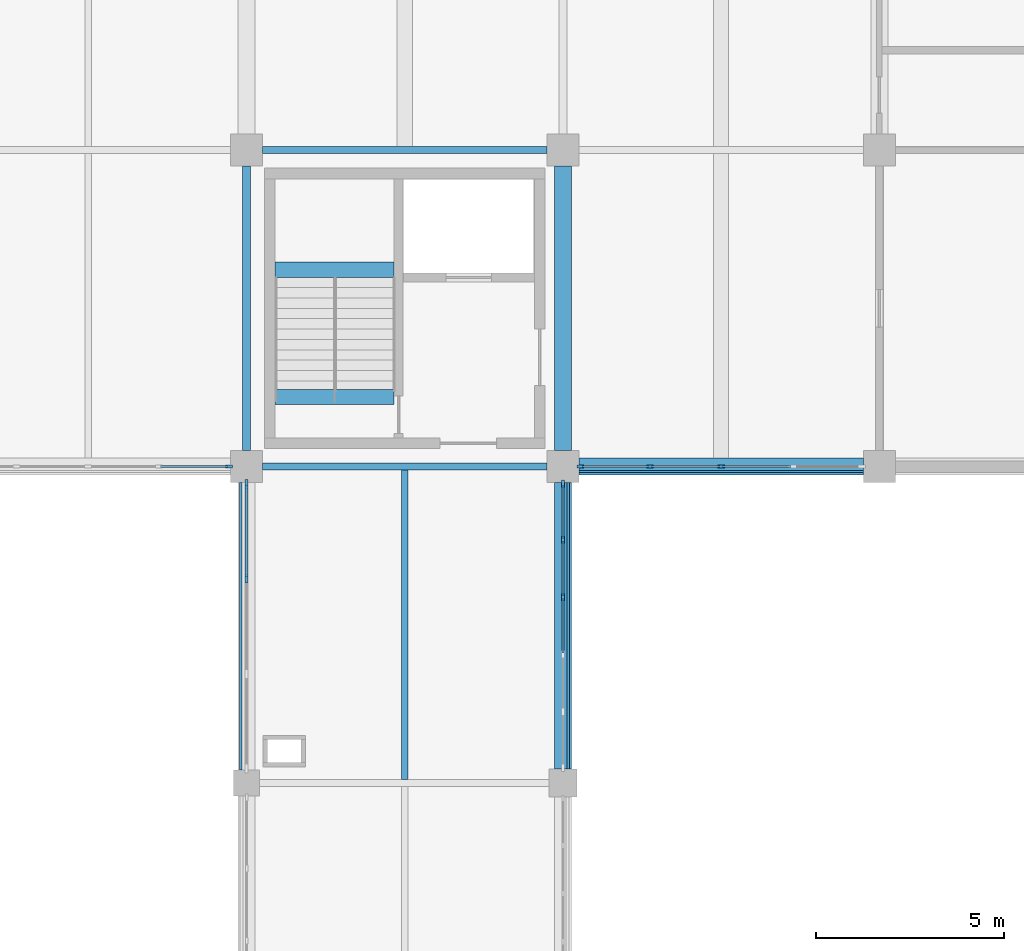
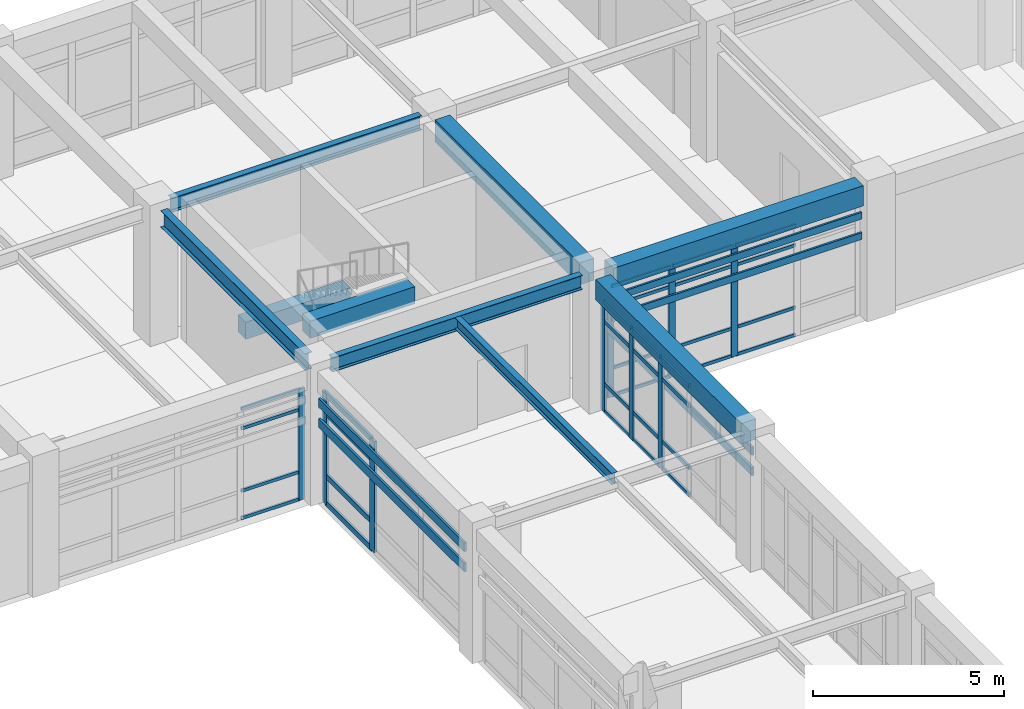
# One storey, part 16 of 78: 47 members, 9 beams, 4 elements without a shape of their own.
"""IFC4 building model written with IfcOpenShell, lengths in metres."""

import ifcopenshell
import ifcopenshell.guid

model = None  # the IFC model being written
_history = None  # IfcOwnerHistory: only IFC2X3 demands one
_inside = {}  # id of a spatial element -> (the spatial element, [elements in it])
_under = {}  # id of a project, library or spatial element -> (it, [spatial elements below it])
_declared = {}  # id of a project -> (the project, [libraries it declares])
_typed = {}  # id of a type object -> (the type object, [elements of that type])
_made_of = {}  # id of a material, layer set ... -> (it, [elements and type objects made of it])


def new_model(schema):
    """Start an empty IFC model of exactly this schema.

    Asked for "IFC4X3", IfcOpenShell would pick the latest addendum, in which some entities
    have other attributes; the version numbers below select the first issue.
    IFC2X3 requires an IfcOwnerHistory on every rooted entity: one is made here for all.
    """
    global model, _history
    if schema == "IFC4X3":
        model = ifcopenshell.file(schema_version=(4, 3, 0, 0))
    else:
        model = ifcopenshell.file(schema=schema)
    _inside.clear()
    _under.clear()
    _declared.clear()
    _typed.clear()
    _made_of.clear()
    _history = None
    if model.schema == "IFC2X3":
        org = make("IfcOrganization", Name="unknown")
        user = make(
            "IfcPersonAndOrganization",
            ThePerson=make("IfcPerson", FamilyName="unknown"),
            TheOrganization=org,
        )
        app = make(
            "IfcApplication",
            ApplicationDeveloper=org,
            Version="unknown",
            ApplicationFullName="unknown",
            ApplicationIdentifier="unknown",
        )
        _history = make(
            "IfcOwnerHistory",
            OwningUser=user,
            OwningApplication=app,
            ChangeAction="ADDED",
            CreationDate=0,
        )
    return model


def make(cls, **values):
    """One entity of the class cls with the attributes given. An attribute that is None is left unset."""
    return model.create_entity(
        cls, **{name: value for name, value in values.items() if value is not None}
    )


def rooted(cls, **values):
    """An entity with a GlobalId (a new one), such as an element, a storey or a relation."""
    return make(cls, GlobalId=ifcopenshell.guid.new(), OwnerHistory=_history, **values)


def si_unit(unit_type, name, prefix=None):
    """IfcSIUnit, for example si_unit("LENGTHUNIT", "METRE", prefix="MILLI")."""
    return make("IfcSIUnit", UnitType=unit_type, Prefix=prefix, Name=name)


def assignment(units):
    """IfcUnitAssignment: the units of a project."""
    return None if units is None else make("IfcUnitAssignment", Units=units)


def point(xyz):
    """IfcCartesianPoint."""
    return None if xyz is None else make("IfcCartesianPoint", Coordinates=xyz)


def direction(xyz):
    """IfcDirection."""
    return None if xyz is None else make("IfcDirection", DirectionRatios=xyz)


def frame(location, z_axis=None, x_axis=None):
    """IfcAxis2Placement3D, a coordinate frame: its origin and axes. An axis left out is left unset."""
    return make(
        "IfcAxis2Placement3D",
        Location=point(location),
        Axis=direction(z_axis),
        RefDirection=direction(x_axis),
    )


def frame_2d(location, x_axis=None):
    """IfcAxis2Placement2D, a coordinate frame in the plane: its origin and x axis."""
    return make(
        "IfcAxis2Placement2D", Location=point(location), RefDirection=direction(x_axis)
    )


def origin():
    """The frame at (0, 0, 0) with its axes left unset."""
    return frame((0.0, 0.0, 0.0))


def origin_2d():
    """The frame at (0, 0) in the plane with its x axis left unset."""
    return frame_2d((0.0, 0.0))


def place(relative_to, where):
    """IfcLocalPlacement: puts the frame where relative to a parent placement (None: the world)."""
    return make(
        "IfcLocalPlacement", PlacementRelTo=relative_to, RelativePlacement=where
    )


def context(
    kind, dimensions, precision=None, world=None, true_north=None, identifier=None
):
    """IfcGeometricRepresentationContext, for example the 3D "Model" context."""
    return make(
        "IfcGeometricRepresentationContext",
        ContextIdentifier=identifier,
        ContextType=kind,
        CoordinateSpaceDimension=dimensions,
        Precision=precision,
        WorldCoordinateSystem=world,
        TrueNorth=true_north,
    )


def subcontext(parent, identifier, kind, view, scale=None):
    """IfcGeometricRepresentationSubContext, for example "Body" below "Model"."""
    return make(
        "IfcGeometricRepresentationSubContext",
        ContextIdentifier=identifier,
        ContextType=kind,
        ParentContext=parent,
        TargetScale=scale,
        TargetView=view,
    )


def project(units=None, contexts=None):
    """IfcProject with its units and contexts."""
    return rooted(
        "IfcProject",
        Name="project",
        RepresentationContexts=contexts,
        UnitsInContext=assignment(units),
    )


def spatial(cls, under=None, at=None, **own):
    """A site, building, storey or space (cls), placed at a placement, below another one or the project."""
    s = rooted(cls, ObjectPlacement=at, **own)
    if under is not None:
        _under.setdefault(under.id(), (under, []))[1].append(s)
    return s


def profile(cls, at=None, kind="AREA", **sizes):
    """A parametric profile (cls). Its sizes go by their IFC names, for example OverallWidth=200.0."""
    return make(cls, ProfileType=kind, Position=at, **sizes)


def rectangle(**sizes):
    """IfcRectangleProfileDef."""
    return profile("IfcRectangleProfileDef", **sizes)


def i_section(**sizes):
    """IfcIShapeProfileDef."""
    return profile("IfcIShapeProfileDef", **sizes)


def extrude(swept, where, along, depth):
    """IfcExtrudedAreaSolid: the profile swept, set in the frame where, extruded along a direction by depth."""
    return make(
        "IfcExtrudedAreaSolid",
        SweptArea=swept,
        Position=where,
        ExtrudedDirection=direction(along),
        Depth=depth,
    )


def shape(context_of_items, identifier, shape_type, items):
    """IfcShapeRepresentation: the items that make up one representation, for example the "Body"."""
    return make(
        "IfcShapeRepresentation",
        ContextOfItems=context_of_items,
        RepresentationIdentifier=identifier,
        RepresentationType=shape_type,
        Items=items,
    )


def material(Name=None, Category=None):
    """IfcMaterial."""
    return make("IfcMaterial", Name=Name, Category=Category)


def layer(
    of_material, thickness, ventilated=None, Name=None, Category=None, Priority=None
):
    """IfcMaterialLayer: one layer of a wall or slab, of a material (None: an air gap)."""
    return make(
        "IfcMaterialLayer",
        Material=of_material,
        LayerThickness=thickness,
        IsVentilated=ventilated,
        Name=Name,
        Category=Category,
        Priority=Priority,
    )


def layer_set(layers, Name=None):
    """IfcMaterialLayerSet."""
    return make("IfcMaterialLayerSet", MaterialLayers=layers, LayerSetName=Name)


def material_profile(
    of_material, cross_section, Name=None, Category=None, Priority=None
):
    """IfcMaterialProfile: a cross section and its material."""
    return make(
        "IfcMaterialProfile",
        Name=Name,
        Material=of_material,
        Profile=cross_section,
        Priority=Priority,
        Category=Category,
    )


def profile_set(profiles, Name=None, composite=None):
    """IfcMaterialProfileSet."""
    return make(
        "IfcMaterialProfileSet",
        Name=Name,
        MaterialProfiles=profiles,
        CompositeProfile=composite,
    )


def made_of(thing, what):
    """Note that an element or type object is made of a material, layer set ...; save() writes the relation."""
    if what is not None:
        _made_of.setdefault(what.id(), (what, []))[1].append(thing)
    return thing


def type_object(cls, material=None, **own):
    """A type object (cls), such as IfcWallType, which elements share."""
    return made_of(rooted(cls, **own), material)


def element(
    cls,
    number,
    at=None,
    inside=None,
    cuts=None,
    type_object=None,
    material=None,
    context=None,
    identifier="Body",
    shape_type=None,
    held_by="IfcProductDefinitionShape",
    body=None,
    shapes=None,
    **own,
):
    """One element of the class cls, such as IfcWall. Its Tag is "e" and its number.

    at: its placement. inside: the storey or other place that contains it. cuts: it is an
    opening in that element (IfcRelVoidsElement). A single representation is given by context,
    identifier, shape_type and body (its items); several are given by shapes. held_by: the class
    of the entity that holds the representations. save() writes the other relations.
    """
    e = rooted(cls, Tag="e%d" % number, ObjectPlacement=at, **own)
    if body is not None:
        shapes = [shape(context, identifier, shape_type, body)]
    if shapes is not None:
        e.Representation = make(held_by, Representations=shapes)
    if inside is not None:
        _inside.setdefault(inside.id(), (inside, []))[1].append(e)
    if cuts is not None:
        rooted(
            "IfcRelVoidsElement", RelatingBuildingElement=cuts, RelatedOpeningElement=e
        )
    if type_object is not None:
        _typed.setdefault(type_object.id(), (type_object, []))[1].append(e)
    return made_of(e, material)


def aggregate(whole, parts):
    """IfcRelAggregates: a whole, such as a stair, and the parts it consists of."""
    return rooted("IfcRelAggregates", RelatingObject=whole, RelatedObjects=parts)


def save(model, path):
    """Write the relations noted so far, then the file.

    IfcRelAggregates (storeys below a building ...), IfcRelContainedInSpatialStructure (elements
    in a storey), IfcRelDefinesByType, IfcRelAssociatesMaterial and IfcRelDeclares: one each for
    every whole, place, type object, material and project.
    """
    for whole, parts in _under.values():
        aggregate(whole, parts)
    for where, things in _inside.values():
        rooted(
            "IfcRelContainedInSpatialStructure",
            RelatedElements=things,
            RelatingStructure=where,
        )
    for kind, things in _typed.values():
        rooted("IfcRelDefinesByType", RelatedObjects=things, RelatingType=kind)
    for what, things in _made_of.values():
        rooted("IfcRelAssociatesMaterial", RelatedObjects=things, RelatingMaterial=what)
    for by, libraries in _declared.values():
        rooted("IfcRelDeclares", RelatingContext=by, RelatedDefinitions=libraries)
    model.write(path)


model = new_model("IFC4")

# Units and contexts
model_context = context("Model", 3, precision=1e-05, world=origin(), true_north=direction((0.0, 1.0)))
body_context = subcontext(model_context, "Body", "Model", "MODEL_VIEW")
ifc_project = project(units=[si_unit("LENGTHUNIT", "METRE"), si_unit("AREAUNIT", "SQUARE_METRE"), si_unit("VOLUMEUNIT", "CUBIC_METRE"), si_unit("PLANEANGLEUNIT", "RADIAN"), si_unit("MASSUNIT", "GRAM", prefix="KILO")], contexts=[model_context])

# Site, building, storey
site_placement = place(None, origin())
site = spatial("IfcSite", under=ifc_project, at=site_placement, CompositionType="ELEMENT")
building_placement = place(site_placement, origin())
building = spatial("IfcBuilding", under=site, at=building_placement, Name="Porcellanite Civic Hall", CompositionType="ELEMENT")
storey_placement = place(building_placement, frame((0.0, 0.0, 10.260009765625)))
storey = spatial("IfcBuildingStorey", under=building, at=storey_placement, Name="L02", CompositionType="ELEMENT", Elevation=10.260009765625)

# Beams
ifc_material_1 = material(Name="Concrete N50 (50 MPa)", Category="concrete")
ifc_material_profile_1 = material_profile(ifc_material_1, rectangle(XDim=0.39990234375, YDim=0.550048828125, at=origin_2d()), Name="RC-400x550")
ifc_profile_set_1 = profile_set([ifc_material_profile_1], Name="Concrete N50 (50 MPa)")
beam_type_1 = type_object("IfcBeamType", Name="BM-RC550", PredefinedType="JOIST", material=ifc_profile_set_1)
for number, where, z_axis, x_axis, name in (
    (1, (51.160400390625, 106.02490234375, 1.885009765625), (1.0, 0.0, 0.0), (0.0, 1.0, 0.0), "Stair landing beam C3 L02"),
    (2, (51.160400390625, 102.64990234375, 3.965087890625), (1.0, 0.0, 0.0), (0.0, 1.0, 0.0), "Stair header beam C3 L02"),
):
    element("IfcBeam", number, at=place(storey_placement, frame(where, z_axis=z_axis, x_axis=x_axis)), inside=storey, type_object=beam_type_1, Name=name, PredefinedType="JOIST", context=body_context, shape_type="SweptSolid", body=[
        extrude(rectangle(XDim=0.39990234375, YDim=0.550048828125, at=origin_2d()), origin(), (0.0, 0.0, 1.0), 3.1591796875),
    ])
ifc_material_2 = material(Name="Concrete N50 (50 MPa)", Category="concrete")
ifc_material_profile_2 = material_profile(ifc_material_2, rectangle(XDim=0.449951171875, YDim=0.64990234375, at=origin_2d()), Name="RC-450x650")
ifc_profile_set_2 = profile_set([ifc_material_profile_2], Name="Concrete N50 (50 MPa)")
beam_type_2 = type_object("IfcBeamType", Name="BM-RC650", PredefinedType="SPANDREL", material=ifc_profile_set_2)
beam_1_placement = place(storey_placement, frame((59.224609375, 100.800048828125, 3.9150390625), z_axis=(1.0, 0.0, 0.0), x_axis=(0.0, 1.0, 0.0)))
element("IfcBeam", 3, at=beam_1_placement, inside=storey, type_object=beam_type_2, Name="Beam X L02 8-13", PredefinedType="SPANDREL", context=body_context, shape_type="SweptSolid", body=[
    extrude(rectangle(XDim=0.449951171875, YDim=0.64990234375, at=origin_2d()), origin(), (0.0, 0.0, 1.0), 7.55078125),
])
beam_2_placement = place(storey_placement, frame((58.800048828125, 92.7744140625, 3.9150390625), z_axis=(0.0, 1.0, 0.0), x_axis=(-1.0, 0.0, 0.0)))
element("IfcBeam", 4, at=beam_2_placement, inside=storey, type_object=beam_type_2, Name="Beam Y L02 8-12", PredefinedType="SPANDREL", context=body_context, shape_type="SweptSolid", body=[
    extrude(rectangle(XDim=0.449951171875, YDim=0.64990234375, at=origin_2d()), origin(), (0.0, 0.0, 1.0), 7.60107421875),
])
ifc_material_3 = material(Name="Concrete N50 (50 MPa)", Category="concrete")
ifc_material_profile_3 = material_profile(ifc_material_3, rectangle(XDim=0.449951171875, YDim=0.699951171875, at=origin_2d()), Name="RC-450x700")
ifc_profile_set_3 = profile_set([ifc_material_profile_3], Name="Concrete N50 (50 MPa)")
beam_type_3 = type_object("IfcBeamType", Name="BM-RC700", PredefinedType="BEAM", material=ifc_profile_set_3)
beam_3_placement = place(storey_placement, frame((58.800048828125, 101.224609375, 3.889892578125), z_axis=(0.0, 1.0, 0.0), x_axis=(-1.0, 0.0, 0.0)))
element("IfcBeam", 5, at=beam_3_placement, inside=storey, type_object=beam_type_3, Name="Beam Y L02 8-13", PredefinedType="BEAM", context=body_context, shape_type="SweptSolid", body=[
    extrude(rectangle(XDim=0.449951171875, YDim=0.699951171875, at=origin_2d()), origin(), (0.0, 0.0, 1.0), 7.55078125),
])

# Curtain wall, members
ifc_material_4 = material(Name="Anodised aluminium and solar laminated glass", Category="aluminium")
ifc_layer_1 = layer(ifc_material_4, 0.179931640625)
ifc_layer_set_1 = layer_set([ifc_layer_1], Name="Anodised aluminium and solar laminated glass")
curtain_wall_type_1 = type_object("IfcCurtainWallType", Name="CW-SYS08", PredefinedType="NOTDEFINED", material=ifc_layer_set_1)
curtain_wall_1_placement = place(storey_placement, origin())
curtain_wall_1 = element("IfcCurtainWall", 6, at=curtain_wall_1_placement, inside=storey, type_object=curtain_wall_type_1, Name="Curtain wall CW-148", PredefinedType="NOTDEFINED")
ifc_material_5 = material(Name="Anodised aluminium 6063-T6", Category="aluminium")
ifc_material_profile_4 = material_profile(ifc_material_5, rectangle(XDim=0.080078125, YDim=0.239990234375, at=origin_2d()), Name="AL-80x240")
ifc_profile_set_4 = profile_set([ifc_material_profile_4], Name="Anodised aluminium 6063-T6")
member_type_1 = type_object("IfcMemberType", Name="CWM-01", PredefinedType="MULLION", material=ifc_profile_set_4)
member_1_placement = place(storey_placement, frame((50.39990234375, 97.8330078125, 0.0), z_axis=(0.0, 0.0, 1.0), x_axis=(-1.0, 0.0, 0.0)))
member_1 = element("IfcMember", 7, at=member_1_placement, type_object=member_type_1, Name="CW-148 mullion 3", PredefinedType="MULLION", context=body_context, shape_type="SweptSolid", body=[
    extrude(rectangle(XDim=0.080078125, YDim=0.239990234375, at=origin_2d()), origin(), (0.0, 0.0, 1.0), 3.5400390625),
])
member_2_placement = place(storey_placement, frame((50.39990234375, 100.333984375, 0.0), z_axis=(0.0, 0.0, 1.0), x_axis=(-1.0, 0.0, 0.0)))
member_2 = element("IfcMember", 8, at=member_2_placement, type_object=member_type_1, Name="CW-148 mullion 4", PredefinedType="MULLION", context=body_context, shape_type="SweptSolid", body=[
    extrude(rectangle(XDim=0.080078125, YDim=0.239990234375, at=origin_2d()), origin(), (0.0, 0.0, 1.0), 3.5400390625),
])

# Curtain wall, member
ifc_material_6 = material(Name="Anodised aluminium and solar laminated glass", Category="aluminium")
ifc_layer_2 = layer(ifc_material_6, 0.179931640625)
ifc_layer_set_2 = layer_set([ifc_layer_2], Name="Anodised aluminium and solar laminated glass")
curtain_wall_type_2 = type_object("IfcCurtainWallType", Name="CW-SYS04", PredefinedType="NOTDEFINED", material=ifc_layer_set_2)
curtain_wall_2_placement = place(storey_placement, origin())
curtain_wall_2 = element("IfcCurtainWall", 9, at=curtain_wall_2_placement, inside=storey, type_object=curtain_wall_type_2, Name="Curtain wall CW-139", PredefinedType="NOTDEFINED")
ifc_material_7 = material(Name="Anodised aluminium 6063-T6", Category="aluminium")
ifc_material_profile_5 = material_profile(ifc_material_7, rectangle(XDim=0.074951171875, YDim=0.18994140625, at=origin_2d()), Name="AL-75x190")
ifc_profile_set_5 = profile_set([ifc_material_profile_5], Name="Anodised aluminium 6063-T6")
member_type_2 = type_object("IfcMemberType", Name="CWM-04", PredefinedType="MULLION", material=ifc_profile_set_5)
member_3_placement = place(storey_placement, frame((49.9365234375, 100.800048828125, 0.0), z_axis=(0.0, 0.0, 1.0), x_axis=(0.0, -1.0, 0.0)))
member_3 = element("IfcMember", 10, at=member_3_placement, type_object=member_type_2, Name="CW-139 mullion 1", PredefinedType="MULLION", context=body_context, shape_type="SweptSolid", body=[
    extrude(rectangle(XDim=0.074951171875, YDim=0.18994140625, at=origin_2d()), origin(), (0.0, 0.0, 1.0), 3.5400390625),
])

# Curtain wall, members
curtain_wall_3_placement = place(storey_placement, origin())
curtain_wall_3 = element("IfcCurtainWall", 11, at=curtain_wall_3_placement, inside=storey, type_object=curtain_wall_type_2, Name="Curtain wall CW-151", PredefinedType="NOTDEFINED")
member_4_placement = place(storey_placement, frame((63.0, 100.800048828125, 0.0), z_axis=(0.0, 0.0, 1.0), x_axis=(0.0, -1.0, 0.0)))
member_4 = element("IfcMember", 12, at=member_4_placement, type_object=member_type_2, Name="CW-151 mullion 3", PredefinedType="MULLION", context=body_context, shape_type="SweptSolid", body=[
    extrude(rectangle(XDim=0.074951171875, YDim=0.18994140625, at=origin_2d()), origin(), (0.0, 0.0, 1.0), 3.5400390625),
])
member_5_placement = place(storey_placement, frame((61.113037109375, 100.800048828125, 0.0), z_axis=(0.0, 0.0, 1.0), x_axis=(0.0, -1.0, 0.0)))
member_5 = element("IfcMember", 13, at=member_5_placement, type_object=member_type_2, Name="CW-151 mullion 4", PredefinedType="MULLION", context=body_context, shape_type="SweptSolid", body=[
    extrude(rectangle(XDim=0.074951171875, YDim=0.18994140625, at=origin_2d()), origin(), (0.0, 0.0, 1.0), 3.5400390625),
])
member_6_placement = place(storey_placement, frame((59.263427734375, 100.800048828125, 0.0), z_axis=(0.0, 0.0, 1.0), x_axis=(0.0, -1.0, 0.0)))
member_6 = element("IfcMember", 14, at=member_6_placement, type_object=member_type_2, Name="CW-151 mullion 5", PredefinedType="MULLION", context=body_context, shape_type="SweptSolid", body=[
    extrude(rectangle(XDim=0.074951171875, YDim=0.18994140625, at=origin_2d()), origin(), (0.0, 0.0, 1.0), 3.5400390625),
])

ifc_material_8 = material(Name="Anodised aluminium and solar laminated glass", Category="aluminium")
ifc_layer_3 = layer(ifc_material_8, 0.179931640625)
ifc_layer_set_3 = layer_set([ifc_layer_3], Name="Anodised aluminium and solar laminated glass")
curtain_wall_type_3 = type_object("IfcCurtainWallType", Name="CW-SYS01", PredefinedType="NOTDEFINED", material=ifc_layer_set_3)
curtain_wall_4_placement = place(storey_placement, origin())
curtain_wall_4 = element("IfcCurtainWall", 15, at=curtain_wall_4_placement, inside=storey, type_object=curtain_wall_type_3, Name="Curtain wall CW-149", PredefinedType="NOTDEFINED")
ifc_material_9 = material(Name="Anodised aluminium 6063-T6", Category="aluminium")
ifc_material_profile_6 = material_profile(ifc_material_9, rectangle(XDim=0.070068359375, YDim=0.199951171875, at=origin_2d()), Name="AL-70x200")
ifc_profile_set_6 = profile_set([ifc_material_profile_6], Name="Anodised aluminium 6063-T6")
member_type_3 = type_object("IfcMemberType", Name="CWM-05", PredefinedType="MULLION", material=ifc_profile_set_6)
member_7_placement = place(storey_placement, frame((58.800048828125, 100.339111328125, 0.0), z_axis=(0.0, 0.0, 1.0), x_axis=(1.0, 0.0, 0.0)))
member_7 = element("IfcMember", 16, at=member_7_placement, type_object=member_type_3, Name="CW-149 mullion 1", PredefinedType="MULLION", context=body_context, shape_type="SweptSolid", body=[
    extrude(rectangle(XDim=0.070068359375, YDim=0.199951171875, at=origin_2d()), origin(), (0.0, 0.0, 1.0), 3.5400390625),
])
member_8_placement = place(storey_placement, frame((58.800048828125, 98.8544921875, 0.0), z_axis=(0.0, 0.0, 1.0), x_axis=(1.0, 0.0, 0.0)))
member_8 = element("IfcMember", 17, at=member_8_placement, type_object=member_type_3, Name="CW-149 mullion 2", PredefinedType="MULLION", context=body_context, shape_type="SweptSolid", body=[
    extrude(rectangle(XDim=0.070068359375, YDim=0.199951171875, at=origin_2d()), origin(), (0.0, 0.0, 1.0), 3.5400390625),
])
member_9_placement = place(storey_placement, frame((58.800048828125, 97.334716796875, 0.0), z_axis=(0.0, 0.0, 1.0), x_axis=(1.0, 0.0, 0.0)))
member_9 = element("IfcMember", 18, at=member_9_placement, type_object=member_type_3, Name="CW-149 mullion 3", PredefinedType="MULLION", context=body_context, shape_type="SweptSolid", body=[
    extrude(rectangle(XDim=0.070068359375, YDim=0.199951171875, at=origin_2d()), origin(), (0.0, 0.0, 1.0), 3.5400390625),
])

# Member
ifc_material_10 = material(Name="Anodised aluminium 6063-T6", Category="aluminium")
ifc_material_profile_7 = material_profile(ifc_material_10, rectangle(XDim=0.070068359375, YDim=0.175048828125, at=origin_2d()), Name="AL-70x175")
ifc_profile_set_7 = profile_set([ifc_material_profile_7], Name="Anodised aluminium 6063-T6")
member_type_4 = type_object("IfcMemberType", Name="CWT-01", PredefinedType="USERDEFINED", material=ifc_profile_set_7)
member_10_placement = place(storey_placement, frame((50.39990234375, 97.873046875, 0.034912109375), z_axis=(0.0, 1.0, 0.0), x_axis=(-1.0, 0.0, 0.0)))
member_10 = element("IfcMember", 19, at=member_10_placement, type_object=member_type_4, Name="CW-148 transom 3.1", ObjectType="TRANSOM", PredefinedType="USERDEFINED", context=body_context, shape_type="SweptSolid", body=[
    extrude(rectangle(XDim=0.070068359375, YDim=0.175048828125, at=origin_2d()), origin(), (0.0, 0.0, 1.0), 2.4208984375),
])

member_11_placement = place(storey_placement, frame((50.39990234375, 97.873046875, 0.89990234375), z_axis=(0.0, 1.0, 0.0), x_axis=(-1.0, 0.0, 0.0)))
member_11 = element("IfcMember", 20, at=member_11_placement, type_object=member_type_4, Name="CW-148 transom 3.2", ObjectType="TRANSOM", PredefinedType="USERDEFINED", context=body_context, shape_type="SweptSolid", body=[
    extrude(rectangle(XDim=0.070068359375, YDim=0.175048828125, at=origin_2d()), origin(), (0.0, 0.0, 1.0), 2.4208984375),
])

member_12_placement = place(storey_placement, frame((50.39990234375, 97.873046875, 2.889892578125), z_axis=(0.0, 1.0, 0.0), x_axis=(-1.0, 0.0, 0.0)))
member_12 = element("IfcMember", 21, at=member_12_placement, type_object=member_type_4, Name="CW-148 transom 3.3", ObjectType="TRANSOM", PredefinedType="USERDEFINED", context=body_context, shape_type="SweptSolid", body=[
    extrude(rectangle(XDim=0.070068359375, YDim=0.175048828125, at=origin_2d()), origin(), (0.0, 0.0, 1.0), 2.4208984375),
])

member_13_placement = place(storey_placement, frame((50.39990234375, 97.873046875, 3.5048828125), z_axis=(0.0, 1.0, 0.0), x_axis=(-1.0, 0.0, 0.0)))
member_13 = element("IfcMember", 22, at=member_13_placement, type_object=member_type_4, Name="CW-148 transom 3.4", ObjectType="TRANSOM", PredefinedType="USERDEFINED", context=body_context, shape_type="SweptSolid", body=[
    extrude(rectangle(XDim=0.070068359375, YDim=0.175048828125, at=origin_2d()), origin(), (0.0, 0.0, 1.0), 2.4208984375),
])

aggregate(curtain_wall_1, [member_1, member_2, member_10, member_11, member_12, member_13])

ifc_material_11 = material(Name="Anodised aluminium 6063-T6", Category="aluminium")
ifc_material_profile_8 = material_profile(ifc_material_11, rectangle(XDim=0.06005859375, YDim=0.1298828125, at=origin_2d()), Name="AL-60x130")
ifc_profile_set_8 = profile_set([ifc_material_profile_8], Name="Anodised aluminium 6063-T6")
member_type_5 = type_object("IfcMemberType", Name="CWT-03", PredefinedType="USERDEFINED", material=ifc_profile_set_8)
member_14_placement = place(storey_placement, frame((58.800048828125, 100.303955078125, 0.030029296875), z_axis=(0.0, -1.0, 0.0), x_axis=(1.0, 0.0, 0.0)))
member_14 = element("IfcMember", 23, at=member_14_placement, type_object=member_type_5, Name="CW-149 transom 1.1", ObjectType="TRANSOM", PredefinedType="USERDEFINED", context=body_context, shape_type="SweptSolid", body=[
    extrude(rectangle(XDim=0.06005859375, YDim=0.1298828125, at=origin_2d()), origin(), (0.0, 0.0, 1.0), 1.41455078125),
])

member_15_placement = place(storey_placement, frame((58.800048828125, 100.303955078125, 0.89990234375), z_axis=(0.0, -1.0, 0.0), x_axis=(1.0, 0.0, 0.0)))
member_15 = element("IfcMember", 24, at=member_15_placement, type_object=member_type_5, Name="CW-149 transom 1.2", ObjectType="TRANSOM", PredefinedType="USERDEFINED", context=body_context, shape_type="SweptSolid", body=[
    extrude(rectangle(XDim=0.06005859375, YDim=0.1298828125, at=origin_2d()), origin(), (0.0, 0.0, 1.0), 1.41455078125),
])

member_16_placement = place(storey_placement, frame((58.800048828125, 100.303955078125, 2.889892578125), z_axis=(0.0, -1.0, 0.0), x_axis=(1.0, 0.0, 0.0)))
member_16 = element("IfcMember", 25, at=member_16_placement, type_object=member_type_5, Name="CW-149 transom 1.3", ObjectType="TRANSOM", PredefinedType="USERDEFINED", context=body_context, shape_type="SweptSolid", body=[
    extrude(rectangle(XDim=0.06005859375, YDim=0.1298828125, at=origin_2d()), origin(), (0.0, 0.0, 1.0), 1.41455078125),
])

member_17_placement = place(storey_placement, frame((58.800048828125, 100.303955078125, 3.510009765625), z_axis=(0.0, -1.0, 0.0), x_axis=(1.0, 0.0, 0.0)))
member_17 = element("IfcMember", 26, at=member_17_placement, type_object=member_type_5, Name="CW-149 transom 1.4", ObjectType="TRANSOM", PredefinedType="USERDEFINED", context=body_context, shape_type="SweptSolid", body=[
    extrude(rectangle(XDim=0.06005859375, YDim=0.1298828125, at=origin_2d()), origin(), (0.0, 0.0, 1.0), 1.41455078125),
])

member_18_placement = place(storey_placement, frame((58.800048828125, 98.8193359375, 0.030029296875), z_axis=(0.0, -1.0, 0.0), x_axis=(1.0, 0.0, 0.0)))
member_18 = element("IfcMember", 27, at=member_18_placement, type_object=member_type_5, Name="CW-149 transom 2.1", ObjectType="TRANSOM", PredefinedType="USERDEFINED", context=body_context, shape_type="SweptSolid", body=[
    extrude(rectangle(XDim=0.06005859375, YDim=0.1298828125, at=origin_2d()), origin(), (0.0, 0.0, 1.0), 1.449462890625),
])

member_19_placement = place(storey_placement, frame((58.800048828125, 98.8193359375, 0.89990234375), z_axis=(0.0, -1.0, 0.0), x_axis=(1.0, 0.0, 0.0)))
member_19 = element("IfcMember", 28, at=member_19_placement, type_object=member_type_5, Name="CW-149 transom 2.2", ObjectType="TRANSOM", PredefinedType="USERDEFINED", context=body_context, shape_type="SweptSolid", body=[
    extrude(rectangle(XDim=0.06005859375, YDim=0.1298828125, at=origin_2d()), origin(), (0.0, 0.0, 1.0), 1.449462890625),
])

member_20_placement = place(storey_placement, frame((58.800048828125, 98.8193359375, 2.889892578125), z_axis=(0.0, -1.0, 0.0), x_axis=(1.0, 0.0, 0.0)))
member_20 = element("IfcMember", 29, at=member_20_placement, type_object=member_type_5, Name="CW-149 transom 2.3", ObjectType="TRANSOM", PredefinedType="USERDEFINED", context=body_context, shape_type="SweptSolid", body=[
    extrude(rectangle(XDim=0.06005859375, YDim=0.1298828125, at=origin_2d()), origin(), (0.0, 0.0, 1.0), 1.449462890625),
])

member_21_placement = place(storey_placement, frame((58.800048828125, 98.8193359375, 3.510009765625), z_axis=(0.0, -1.0, 0.0), x_axis=(1.0, 0.0, 0.0)))
member_21 = element("IfcMember", 30, at=member_21_placement, type_object=member_type_5, Name="CW-149 transom 2.4", ObjectType="TRANSOM", PredefinedType="USERDEFINED", context=body_context, shape_type="SweptSolid", body=[
    extrude(rectangle(XDim=0.06005859375, YDim=0.1298828125, at=origin_2d()), origin(), (0.0, 0.0, 1.0), 1.449462890625),
])

member_22_placement = place(storey_placement, frame((58.800048828125, 97.2998046875, 0.030029296875), z_axis=(0.0, -1.0, 0.0), x_axis=(1.0, 0.0, 0.0)))
member_22 = element("IfcMember", 31, at=member_22_placement, type_object=member_type_5, Name="CW-149 transom 3.1", ObjectType="TRANSOM", PredefinedType="USERDEFINED", context=body_context, shape_type="SweptSolid", body=[
    extrude(rectangle(XDim=0.06005859375, YDim=0.1298828125, at=origin_2d()), origin(), (0.0, 0.0, 1.0), 1.44970703125),
])

member_23_placement = place(storey_placement, frame((58.800048828125, 97.2998046875, 0.89990234375), z_axis=(0.0, -1.0, 0.0), x_axis=(1.0, 0.0, 0.0)))
member_23 = element("IfcMember", 32, at=member_23_placement, type_object=member_type_5, Name="CW-149 transom 3.2", ObjectType="TRANSOM", PredefinedType="USERDEFINED", context=body_context, shape_type="SweptSolid", body=[
    extrude(rectangle(XDim=0.06005859375, YDim=0.1298828125, at=origin_2d()), origin(), (0.0, 0.0, 1.0), 1.44970703125),
])

member_24_placement = place(storey_placement, frame((58.800048828125, 97.2998046875, 2.889892578125), z_axis=(0.0, -1.0, 0.0), x_axis=(1.0, 0.0, 0.0)))
member_24 = element("IfcMember", 33, at=member_24_placement, type_object=member_type_5, Name="CW-149 transom 3.3", ObjectType="TRANSOM", PredefinedType="USERDEFINED", context=body_context, shape_type="SweptSolid", body=[
    extrude(rectangle(XDim=0.06005859375, YDim=0.1298828125, at=origin_2d()), origin(), (0.0, 0.0, 1.0), 1.44970703125),
])

member_25_placement = place(storey_placement, frame((58.800048828125, 97.2998046875, 3.510009765625), z_axis=(0.0, -1.0, 0.0), x_axis=(1.0, 0.0, 0.0)))
member_25 = element("IfcMember", 34, at=member_25_placement, type_object=member_type_5, Name="CW-149 transom 3.4", ObjectType="TRANSOM", PredefinedType="USERDEFINED", context=body_context, shape_type="SweptSolid", body=[
    extrude(rectangle(XDim=0.06005859375, YDim=0.1298828125, at=origin_2d()), origin(), (0.0, 0.0, 1.0), 1.44970703125),
])

aggregate(curtain_wall_4, [member_7, member_8, member_9, member_14, member_15, member_16, member_17, member_18, member_19, member_20, member_21, member_22, member_23, member_24, member_25])

ifc_material_12 = material(Name="Anodised aluminium 6063-T6", Category="aluminium")
ifc_material_profile_9 = material_profile(ifc_material_12, rectangle(XDim=0.054931640625, YDim=0.10009765625, at=origin_2d()), Name="AL-55x100")
ifc_profile_set_9 = profile_set([ifc_material_profile_9], Name="Anodised aluminium 6063-T6")
member_type_6 = type_object("IfcMemberType", Name="CWT-05", PredefinedType="USERDEFINED", material=ifc_profile_set_9)
member_26_placement = place(storey_placement, frame((49.89892578125, 100.800048828125, 0.027587890625), z_axis=(-1.0, 0.0, 0.0), x_axis=(0.0, -1.0, 0.0)))
member_26 = element("IfcMember", 35, at=member_26_placement, type_object=member_type_6, Name="CW-139 transom 1.1", ObjectType="TRANSOM", PredefinedType="USERDEFINED", context=body_context, shape_type="SweptSolid", body=[
    extrude(rectangle(XDim=0.054931640625, YDim=0.10009765625, at=origin_2d()), origin(), (0.0, 0.0, 1.0), 1.78076171875),
])

member_27_placement = place(storey_placement, frame((49.89892578125, 100.800048828125, 0.89990234375), z_axis=(-1.0, 0.0, 0.0), x_axis=(0.0, -1.0, 0.0)))
member_27 = element("IfcMember", 36, at=member_27_placement, type_object=member_type_6, Name="CW-139 transom 1.2", ObjectType="TRANSOM", PredefinedType="USERDEFINED", context=body_context, shape_type="SweptSolid", body=[
    extrude(rectangle(XDim=0.054931640625, YDim=0.10009765625, at=origin_2d()), origin(), (0.0, 0.0, 1.0), 1.78076171875),
])

member_28_placement = place(storey_placement, frame((49.89892578125, 100.800048828125, 2.889892578125), z_axis=(-1.0, 0.0, 0.0), x_axis=(0.0, -1.0, 0.0)))
member_28 = element("IfcMember", 37, at=member_28_placement, type_object=member_type_6, Name="CW-139 transom 1.3", ObjectType="TRANSOM", PredefinedType="USERDEFINED", context=body_context, shape_type="SweptSolid", body=[
    extrude(rectangle(XDim=0.054931640625, YDim=0.10009765625, at=origin_2d()), origin(), (0.0, 0.0, 1.0), 1.78076171875),
])

member_29_placement = place(storey_placement, frame((49.89892578125, 100.800048828125, 3.512451171875), z_axis=(-1.0, 0.0, 0.0), x_axis=(0.0, -1.0, 0.0)))
member_29 = element("IfcMember", 38, at=member_29_placement, type_object=member_type_6, Name="CW-139 transom 1.4", ObjectType="TRANSOM", PredefinedType="USERDEFINED", context=body_context, shape_type="SweptSolid", body=[
    extrude(rectangle(XDim=0.054931640625, YDim=0.10009765625, at=origin_2d()), origin(), (0.0, 0.0, 1.0), 1.78076171875),
])

aggregate(curtain_wall_2, [member_3, member_26, member_27, member_28, member_29])

member_30_placement = place(storey_placement, frame((64.849609375, 100.800048828125, 0.027587890625), z_axis=(-1.0, 0.0, 0.0), x_axis=(0.0, -1.0, 0.0)))
member_30 = element("IfcMember", 39, at=member_30_placement, type_object=member_type_6, Name="CW-151 transom 2.1", ObjectType="TRANSOM", PredefinedType="USERDEFINED", context=body_context, shape_type="SweptSolid", body=[
    extrude(rectangle(XDim=0.054931640625, YDim=0.10009765625, at=origin_2d()), origin(), (0.0, 0.0, 1.0), 1.81201171875),
])

member_31_placement = place(storey_placement, frame((64.849609375, 100.800048828125, 0.89990234375), z_axis=(-1.0, 0.0, 0.0), x_axis=(0.0, -1.0, 0.0)))
member_31 = element("IfcMember", 40, at=member_31_placement, type_object=member_type_6, Name="CW-151 transom 2.2", ObjectType="TRANSOM", PredefinedType="USERDEFINED", context=body_context, shape_type="SweptSolid", body=[
    extrude(rectangle(XDim=0.054931640625, YDim=0.10009765625, at=origin_2d()), origin(), (0.0, 0.0, 1.0), 1.81201171875),
])

member_32_placement = place(storey_placement, frame((64.849609375, 100.800048828125, 2.889892578125), z_axis=(-1.0, 0.0, 0.0), x_axis=(0.0, -1.0, 0.0)))
member_32 = element("IfcMember", 41, at=member_32_placement, type_object=member_type_6, Name="CW-151 transom 2.3", ObjectType="TRANSOM", PredefinedType="USERDEFINED", context=body_context, shape_type="SweptSolid", body=[
    extrude(rectangle(XDim=0.054931640625, YDim=0.10009765625, at=origin_2d()), origin(), (0.0, 0.0, 1.0), 1.81201171875),
])

member_33_placement = place(storey_placement, frame((64.849609375, 100.800048828125, 3.512451171875), z_axis=(-1.0, 0.0, 0.0), x_axis=(0.0, -1.0, 0.0)))
member_33 = element("IfcMember", 42, at=member_33_placement, type_object=member_type_6, Name="CW-151 transom 2.4", ObjectType="TRANSOM", PredefinedType="USERDEFINED", context=body_context, shape_type="SweptSolid", body=[
    extrude(rectangle(XDim=0.054931640625, YDim=0.10009765625, at=origin_2d()), origin(), (0.0, 0.0, 1.0), 1.81201171875),
])

member_34_placement = place(storey_placement, frame((62.96240234375, 100.800048828125, 0.027587890625), z_axis=(-1.0, 0.0, 0.0), x_axis=(0.0, -1.0, 0.0)))
member_34 = element("IfcMember", 43, at=member_34_placement, type_object=member_type_6, Name="CW-151 transom 3.1", ObjectType="TRANSOM", PredefinedType="USERDEFINED", context=body_context, shape_type="SweptSolid", body=[
    extrude(rectangle(XDim=0.054931640625, YDim=0.10009765625, at=origin_2d()), origin(), (0.0, 0.0, 1.0), 1.81201171875),
])

member_35_placement = place(storey_placement, frame((62.96240234375, 100.800048828125, 0.89990234375), z_axis=(-1.0, 0.0, 0.0), x_axis=(0.0, -1.0, 0.0)))
member_35 = element("IfcMember", 44, at=member_35_placement, type_object=member_type_6, Name="CW-151 transom 3.2", ObjectType="TRANSOM", PredefinedType="USERDEFINED", context=body_context, shape_type="SweptSolid", body=[
    extrude(rectangle(XDim=0.054931640625, YDim=0.10009765625, at=origin_2d()), origin(), (0.0, 0.0, 1.0), 1.81201171875),
])

member_36_placement = place(storey_placement, frame((62.96240234375, 100.800048828125, 2.889892578125), z_axis=(-1.0, 0.0, 0.0), x_axis=(0.0, -1.0, 0.0)))
member_36 = element("IfcMember", 45, at=member_36_placement, type_object=member_type_6, Name="CW-151 transom 3.3", ObjectType="TRANSOM", PredefinedType="USERDEFINED", context=body_context, shape_type="SweptSolid", body=[
    extrude(rectangle(XDim=0.054931640625, YDim=0.10009765625, at=origin_2d()), origin(), (0.0, 0.0, 1.0), 1.81201171875),
])

member_37_placement = place(storey_placement, frame((62.96240234375, 100.800048828125, 3.512451171875), z_axis=(-1.0, 0.0, 0.0), x_axis=(0.0, -1.0, 0.0)))
member_37 = element("IfcMember", 46, at=member_37_placement, type_object=member_type_6, Name="CW-151 transom 3.4", ObjectType="TRANSOM", PredefinedType="USERDEFINED", context=body_context, shape_type="SweptSolid", body=[
    extrude(rectangle(XDim=0.054931640625, YDim=0.10009765625, at=origin_2d()), origin(), (0.0, 0.0, 1.0), 1.81201171875),
])

member_38_placement = place(storey_placement, frame((61.075439453125, 100.800048828125, 0.027587890625), z_axis=(-1.0, 0.0, 0.0), x_axis=(0.0, -1.0, 0.0)))
member_38 = element("IfcMember", 47, at=member_38_placement, type_object=member_type_6, Name="CW-151 transom 4.1", ObjectType="TRANSOM", PredefinedType="USERDEFINED", context=body_context, shape_type="SweptSolid", body=[
    extrude(rectangle(XDim=0.054931640625, YDim=0.10009765625, at=origin_2d()), origin(), (0.0, 0.0, 1.0), 1.7744140625),
])

member_39_placement = place(storey_placement, frame((61.075439453125, 100.800048828125, 0.89990234375), z_axis=(-1.0, 0.0, 0.0), x_axis=(0.0, -1.0, 0.0)))
member_39 = element("IfcMember", 48, at=member_39_placement, type_object=member_type_6, Name="CW-151 transom 4.2", ObjectType="TRANSOM", PredefinedType="USERDEFINED", context=body_context, shape_type="SweptSolid", body=[
    extrude(rectangle(XDim=0.054931640625, YDim=0.10009765625, at=origin_2d()), origin(), (0.0, 0.0, 1.0), 1.7744140625),
])

member_40_placement = place(storey_placement, frame((61.075439453125, 100.800048828125, 2.889892578125), z_axis=(-1.0, 0.0, 0.0), x_axis=(0.0, -1.0, 0.0)))
member_40 = element("IfcMember", 49, at=member_40_placement, type_object=member_type_6, Name="CW-151 transom 4.3", ObjectType="TRANSOM", PredefinedType="USERDEFINED", context=body_context, shape_type="SweptSolid", body=[
    extrude(rectangle(XDim=0.054931640625, YDim=0.10009765625, at=origin_2d()), origin(), (0.0, 0.0, 1.0), 1.7744140625),
])

member_41_placement = place(storey_placement, frame((61.075439453125, 100.800048828125, 3.512451171875), z_axis=(-1.0, 0.0, 0.0), x_axis=(0.0, -1.0, 0.0)))
member_41 = element("IfcMember", 50, at=member_41_placement, type_object=member_type_6, Name="CW-151 transom 4.4", ObjectType="TRANSOM", PredefinedType="USERDEFINED", context=body_context, shape_type="SweptSolid", body=[
    extrude(rectangle(XDim=0.054931640625, YDim=0.10009765625, at=origin_2d()), origin(), (0.0, 0.0, 1.0), 1.7744140625),
])

aggregate(curtain_wall_3, [member_4, member_5, member_6, member_30, member_31, member_32, member_33, member_34, member_35, member_36, member_37, member_38, member_39, member_40, member_41])

# Beam
ifc_material_13 = material(Name="Steel Grade 350", Category="steel")
ifc_material_profile_10 = material_profile(ifc_material_13, i_section(OverallWidth=0.172119140625, OverallDepth=0.35888671875, WebThickness=0.008056640625, FlangeThickness=0.012939453125, FilletRadius=0.011474609375, at=origin_2d()), Name="360UB56.7")
ifc_profile_set_10 = profile_set([ifc_material_profile_10], Name="Steel Grade 350")
beam_type_4 = type_object("IfcBeamType", Name="JST-360UB57", PredefinedType="JOIST", material=ifc_profile_set_10)
beam_4_placement = place(storey_placement, frame((54.60009765625, 92.494384765625, 4.060546875), z_axis=(0.0, 1.0, 0.0), x_axis=(-1.0, 0.0, 0.0)))
element("IfcBeam", 51, at=beam_4_placement, inside=storey, type_object=beam_type_4, Name="Secondary joist L02 7-12", PredefinedType="JOIST", context=body_context, shape_type="SweptSolid", body=[
    extrude(i_section(OverallWidth=0.172119140625, OverallDepth=0.35888671875, WebThickness=0.008056640625, FlangeThickness=0.012939453125, FilletRadius=0.011474609375, at=origin_2d()), origin(), (0.0, 0.0, 1.0), 8.211181640625),
])

# Members
ifc_material_14 = material(Name="Fluoropolymer bauxite-red aluminium 6063-T6", Category="aluminium")
ifc_material_profile_11 = material_profile(ifc_material_14, rectangle(XDim=0.070068359375, YDim=0.280029296875, at=origin_2d()), Name="AL-70x280")
ifc_profile_set_11 = profile_set([ifc_material_profile_11], Name="Fluoropolymer bauxite-red aluminium 6063-T6")
member_type_7 = type_object("IfcMemberType", Name="LV-BLD05", PredefinedType="USERDEFINED", material=ifc_profile_set_11)
for number, where, z_axis, x_axis, name in (
    (52, (50.242919921875, 92.74951171875, 3.239990234375), (0.0, 1.0, 0.0), (-1.0, 0.0, 0.0), "Cyclone sunshade louvre L02 W 6-11 1"),
    (53, (50.242919921875, 92.74951171875, 2.590087890625), (0.0, 1.0, 0.0), (-1.0, 0.0, 0.0), "Cyclone sunshade louvre L02 W 6-11 2"),
):
    element("IfcMember", number, at=place(storey_placement, frame(where, z_axis=z_axis, x_axis=x_axis)), inside=storey, type_object=member_type_7, Name=name, ObjectType="LOUVRE BLADE", PredefinedType="USERDEFINED", context=body_context, shape_type="SweptSolid", body=[
        extrude(rectangle(XDim=0.070068359375, YDim=0.280029296875, at=origin_2d()), origin(), (0.0, 0.0, 1.0), 7.6259765625),
    ])
ifc_material_15 = material(Name="Fluoropolymer bauxite-red aluminium 6063-T6", Category="aluminium")
ifc_material_profile_12 = material_profile(ifc_material_15, rectangle(XDim=0.070068359375, YDim=0.260009765625, at=origin_2d()), Name="AL-70x260")
ifc_profile_set_12 = profile_set([ifc_material_profile_12], Name="Fluoropolymer bauxite-red aluminium 6063-T6")
member_type_8 = type_object("IfcMemberType", Name="LV-BLD06", PredefinedType="USERDEFINED", material=ifc_profile_set_12)
for number, where, z_axis, x_axis, name in (
    (54, (58.93701171875, 100.37548828125, 3.239990234375), (0.0, -1.0, 0.0), (1.0, 0.0, 0.0), "Cyclone sunshade louvre L02 E 6-11 1"),
    (55, (58.93701171875, 100.37548828125, 2.590087890625), (0.0, -1.0, 0.0), (1.0, 0.0, 0.0), "Cyclone sunshade louvre L02 E 6-11 2"),
):
    element("IfcMember", number, at=place(storey_placement, frame(where, z_axis=z_axis, x_axis=x_axis)), inside=storey, type_object=member_type_8, Name=name, ObjectType="LOUVRE BLADE", PredefinedType="USERDEFINED", context=body_context, shape_type="SweptSolid", body=[
        extrude(rectangle(XDim=0.070068359375, YDim=0.260009765625, at=origin_2d()), origin(), (0.0, 0.0, 1.0), 7.60107421875),
    ])
ifc_material_16 = material(Name="Fluoropolymer bauxite-red aluminium 6063-T6", Category="aluminium")
ifc_material_profile_13 = material_profile(ifc_material_16, rectangle(XDim=0.06005859375, YDim=0.219970703125, at=origin_2d()), Name="AL-60x220")
ifc_profile_set_13 = profile_set([ifc_material_profile_13], Name="Fluoropolymer bauxite-red aluminium 6063-T6")
member_type_9 = type_object("IfcMemberType", Name="LV-BLD08", PredefinedType="USERDEFINED", material=ifc_profile_set_13)
for number, where, z_axis, x_axis, name in (
    (56, (66.775390625, 100.673095703125, 3.239990234375), (-1.0, 0.0, 0.0), (0.0, -1.0, 0.0), "Cyclone sunshade louvre L02 S 7-12 1"),
    (57, (66.775390625, 100.673095703125, 2.590087890625), (-1.0, 0.0, 0.0), (0.0, -1.0, 0.0), "Cyclone sunshade louvre L02 S 7-12 2"),
):
    element("IfcMember", number, at=place(storey_placement, frame(where, z_axis=z_axis, x_axis=x_axis)), inside=storey, type_object=member_type_9, Name=name, ObjectType="LOUVRE BLADE", PredefinedType="USERDEFINED", context=body_context, shape_type="SweptSolid", body=[
        extrude(rectangle(XDim=0.06005859375, YDim=0.219970703125, at=origin_2d()), origin(), (0.0, 0.0, 1.0), 7.55078125),
    ])

# Beams
ifc_material_17 = material(Name="Steel Grade 350", Category="steel")
ifc_material_profile_14 = material_profile(ifc_material_17, i_section(OverallWidth=0.18994140625, OverallDepth=0.4541015625, WebThickness=0.008544921875, FlangeThickness=0.0126953125, FilletRadius=0.011474609375, at=origin_2d()), Name="460UB67.1")
ifc_profile_set_14 = profile_set([ifc_material_profile_14], Name="Steel Grade 350")
beam_type_5 = type_object("IfcBeamType", Name="RAF-460UB67", PredefinedType="BEAM", material=ifc_profile_set_14)
for number, where, z_axis, x_axis, name in (
    (58, (50.824462890625, 100.800048828125, 4.012939453125), (1.0, 0.0, 0.0), (0.0, 1.0, 0.0), "Beam X L02 7-13"),
    (59, (50.824462890625, 109.199951171875, 4.012939453125), (1.0, 0.0, 0.0), (0.0, 1.0, 0.0), "Beam X L02 7-14"),
):
    element("IfcBeam", number, at=place(storey_placement, frame(where, z_axis=z_axis, x_axis=x_axis)), inside=storey, type_object=beam_type_5, Name=name, PredefinedType="BEAM", context=body_context, shape_type="SweptSolid", body=[
        extrude(i_section(OverallWidth=0.18994140625, OverallDepth=0.4541015625, WebThickness=0.008544921875, FlangeThickness=0.0126953125, FilletRadius=0.011474609375, at=origin_2d()), origin(), (0.0, 0.0, 1.0), 7.551025390625),
    ])
ifc_material_18 = material(Name="Steel Grade 350", Category="steel")
ifc_material_profile_15 = material_profile(ifc_material_18, i_section(OverallWidth=0.208984375, OverallDepth=0.528076171875, WebThickness=0.009521484375, FlangeThickness=0.01318359375, FilletRadius=0.013916015625, at=origin_2d()), Name="530UB82.0")
ifc_profile_set_15 = profile_set([ifc_material_profile_15], Name="Steel Grade 350")
beam_type_6 = type_object("IfcBeamType", Name="RAF-530UB82", PredefinedType="BEAM", material=ifc_profile_set_15)
beam_5_placement = place(storey_placement, frame((50.39990234375, 101.224609375, 3.97607421875), z_axis=(0.0, 1.0, 0.0), x_axis=(-1.0, 0.0, 0.0)))
element("IfcBeam", 60, at=beam_5_placement, inside=storey, type_object=beam_type_6, Name="Beam Y L02 7-13", PredefinedType="BEAM", context=body_context, shape_type="SweptSolid", body=[
    extrude(i_section(OverallWidth=0.208984375, OverallDepth=0.528076171875, WebThickness=0.009521484375, FlangeThickness=0.01318359375, FilletRadius=0.013916015625, at=origin_2d()), origin(), (0.0, 0.0, 1.0), 7.55078125),
])

save(model, "model.ifc")
